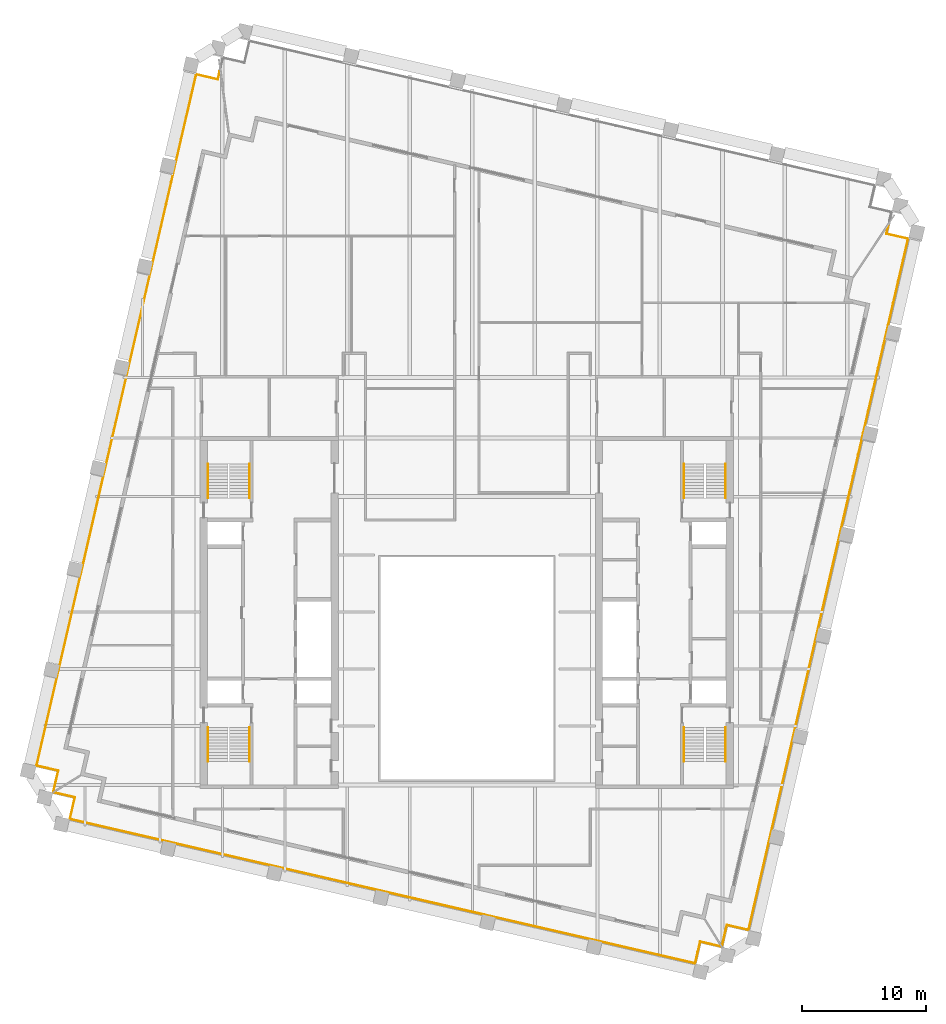
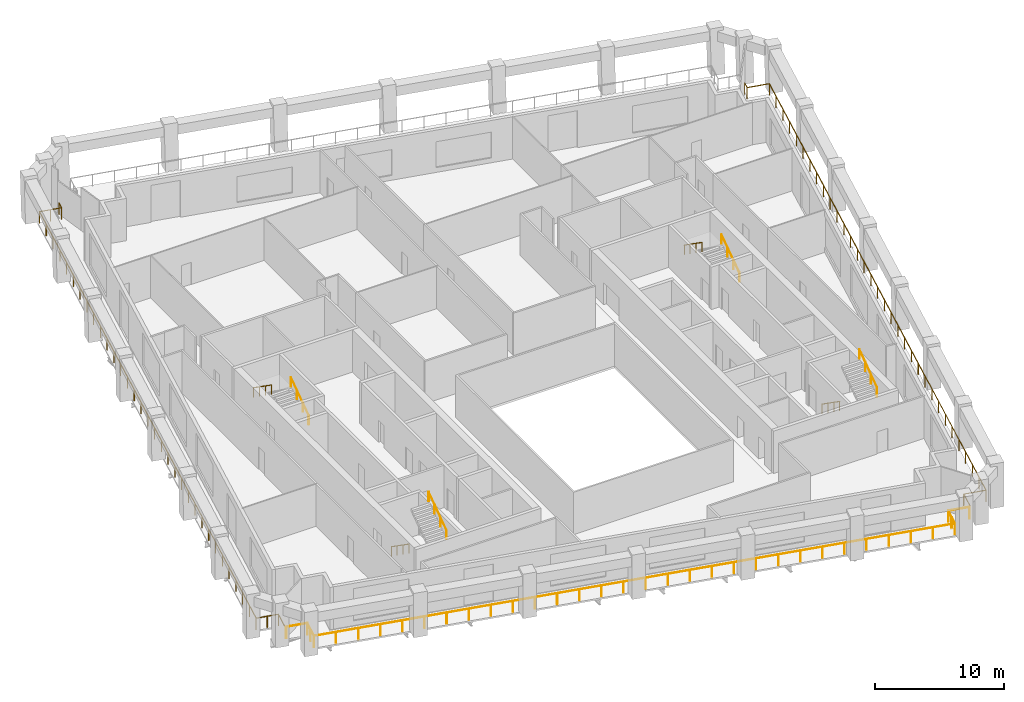
# One storey, part 9 of 10: 11 railings.
"""IFC4 building model written with IfcOpenShell, lengths in metres."""

from ifc_helpers import new_model, si_unit, direction, frame, origin, origin_2d, place, context, subcontext, project, spatial, circle, extrude, material, type_object, element, save


model = new_model("IFC4")

# Units and contexts
model_context = context("Model", 3, precision=1e-05, world=origin(), true_north=direction((0.0, 1.0)))
body_context = subcontext(model_context, "Body", "Model", "MODEL_VIEW")
ifc_project = project(units=[si_unit("LENGTHUNIT", "METRE"), si_unit("AREAUNIT", "SQUARE_METRE"), si_unit("VOLUMEUNIT", "CUBIC_METRE"), si_unit("PLANEANGLEUNIT", "RADIAN"), si_unit("MASSUNIT", "GRAM", prefix="KILO")], contexts=[model_context])

# Site, building, storey
site_placement = place(None, origin())
site = spatial("IfcSite", under=ifc_project, at=site_placement, CompositionType="ELEMENT")
building_placement = place(site_placement, origin())
building = spatial("IfcBuilding", under=site, at=building_placement, Name="Ogive Exchange Tower", CompositionType="ELEMENT")
storey_placement = place(building_placement, frame((0.0, 0.0, 280.800048828125)))
storey = spatial("IfcBuildingStorey", under=building, at=storey_placement, Name="L61", CompositionType="ELEMENT", Elevation=280.800048828125)

# Railings
ifc_material_1 = material(Name="Stainless steel 316", Category="steel")
railing_type_1 = type_object("IfcRailingType", Name="Guard 1100 stainless steel and glass", PredefinedType="GUARDRAIL", material=ifc_material_1)
railing_1_placement = place(storey_placement, frame((20.560546875, -15.527099609375, -0.050048828125)))
element("IfcRailing", 1, at=railing_1_placement, inside=storey, type_object=railing_type_1, Name="Loggia guard 1", PredefinedType="GUARDRAIL", context=body_context, shape_type="SweptSolid", body=[
    extrude(circle(Radius=0.02392578125, at=origin_2d()), frame((0.0, 0.0, 1.076171875), z_axis=(-0.974396013545, 0.224838628327, 0.0), x_axis=(-0.224838628327, -0.974396013545, 0.0)), (0.0, 0.0, 1.0), 1.7080078125),
    extrude(circle(Radius=0.02392578125, at=origin_2d()), frame((-1.664306640625, 0.384033203125, 1.076171875), z_axis=(-0.224879318197, -0.974386623598, 0.0), x_axis=(0.974386623598, -0.224879318197, 0.0)), (0.0, 0.0, 1.0), 1.800048828125),
    extrude(circle(Radius=0.02392578125, at=origin_2d()), frame((-2.069091796875, -1.369873046875, 1.076171875), z_axis=(-0.974370126852, 0.224950785504, 0.0), x_axis=(-0.224950785504, -0.974370126852, 0.0)), (0.0, 0.0, 1.0), 51.960205078125),
    extrude(circle(Radius=0.02392578125, at=origin_2d()), frame((-52.697509765625, 10.318603515625, 1.076171875), z_axis=(0.225008086135, 0.974356896201, 0.0), x_axis=(-0.974356896201, 0.225008086135, 0.0)), (0.0, 0.0, 1.0), 1.800048828125),
    extrude(circle(Radius=0.02392578125, at=origin_2d()), frame((-52.29248046875, 12.072509765625, 1.076171875), z_axis=(-0.974364690374, 0.224974332206, 0.0), x_axis=(-0.224974332206, -0.974364690374, 0.0)), (0.0, 0.0, 1.0), 1.7080078125),
    extrude(circle(Radius=0.02099609375, at=origin_2d()), origin(), (0.0, 0.0, 1.0), 1.052001953125),
    extrude(circle(Radius=0.02099609375, at=origin_2d()), frame((-1.664306640625, 0.384033203125, 0.0)), (0.0, 0.0, 1.0), 1.052001953125),
    extrude(circle(Radius=0.02099609375, at=origin_2d()), frame((-1.86669921875, -0.492919921875, 0.0)), (0.0, 0.0, 1.0), 1.052001953125),
    extrude(circle(Radius=0.02099609375, at=origin_2d()), frame((-2.069091796875, -1.369873046875, 0.0)), (0.0, 0.0, 1.0), 1.052001953125),
    extrude(circle(Radius=0.02099609375, at=origin_2d()), frame((-3.81494140625, -0.966796875, 0.0)), (0.0, 0.0, 1.0), 1.052001953125),
    extrude(circle(Radius=0.02099609375, at=origin_2d()), frame((-5.560791015625, -0.563720703125, 0.0)), (0.0, 0.0, 1.0), 1.052001953125),
    extrude(circle(Radius=0.02099609375, at=origin_2d()), frame((-7.306396484375, -0.16064453125, 0.0)), (0.0, 0.0, 1.0), 1.052001953125),
    extrude(circle(Radius=0.02099609375, at=origin_2d()), frame((-9.05224609375, 0.242431640625, 0.0)), (0.0, 0.0, 1.0), 1.052001953125),
    extrude(circle(Radius=0.02099609375, at=origin_2d()), frame((-10.798095703125, 0.645263671875, 0.0)), (0.0, 0.0, 1.0), 1.052001953125),
    extrude(circle(Radius=0.02099609375, at=origin_2d()), frame((-12.5439453125, 1.04833984375, 0.0)), (0.0, 0.0, 1.0), 1.052001953125),
    extrude(circle(Radius=0.02099609375, at=origin_2d()), frame((-14.289794921875, 1.451416015625, 0.0)), (0.0, 0.0, 1.0), 1.052001953125),
    extrude(circle(Radius=0.02099609375, at=origin_2d()), frame((-16.03564453125, 1.8544921875, 0.0)), (0.0, 0.0, 1.0), 1.052001953125),
    extrude(circle(Radius=0.02099609375, at=origin_2d()), frame((-17.78125, 2.257568359375, 0.0)), (0.0, 0.0, 1.0), 1.052001953125),
    extrude(circle(Radius=0.02099609375, at=origin_2d()), frame((-19.527099609375, 2.66064453125, 0.0)), (0.0, 0.0, 1.0), 1.052001953125),
    extrude(circle(Radius=0.02099609375, at=origin_2d()), frame((-21.27294921875, 3.063720703125, 0.0)), (0.0, 0.0, 1.0), 1.052001953125),
    extrude(circle(Radius=0.02099609375, at=origin_2d()), frame((-23.018798828125, 3.466796875, 0.0)), (0.0, 0.0, 1.0), 1.052001953125),
    extrude(circle(Radius=0.02099609375, at=origin_2d()), frame((-24.7646484375, 3.869873046875, 0.0)), (0.0, 0.0, 1.0), 1.052001953125),
    extrude(circle(Radius=0.02099609375, at=origin_2d()), frame((-26.510498046875, 4.27294921875, 0.0)), (0.0, 0.0, 1.0), 1.052001953125),
    extrude(circle(Radius=0.02099609375, at=origin_2d()), frame((-28.256103515625, 4.67578125, 0.0)), (0.0, 0.0, 1.0), 1.052001953125),
    extrude(circle(Radius=0.02099609375, at=origin_2d()), frame((-30.001953125, 5.078857421875, 0.0)), (0.0, 0.0, 1.0), 1.052001953125),
    extrude(circle(Radius=0.02099609375, at=origin_2d()), frame((-31.747802734375, 5.48193359375, 0.0)), (0.0, 0.0, 1.0), 1.052001953125),
    extrude(circle(Radius=0.02099609375, at=origin_2d()), frame((-33.49365234375, 5.885009765625, 0.0)), (0.0, 0.0, 1.0), 1.052001953125),
    extrude(circle(Radius=0.02099609375, at=origin_2d()), frame((-35.239501953125, 6.2880859375, 0.0)), (0.0, 0.0, 1.0), 1.052001953125),
    extrude(circle(Radius=0.02099609375, at=origin_2d()), frame((-36.9853515625, 6.691162109375, 0.0)), (0.0, 0.0, 1.0), 1.052001953125),
    extrude(circle(Radius=0.02099609375, at=origin_2d()), frame((-38.73095703125, 7.09423828125, 0.0)), (0.0, 0.0, 1.0), 1.052001953125),
    extrude(circle(Radius=0.02099609375, at=origin_2d()), frame((-40.476806640625, 7.497314453125, 0.0)), (0.0, 0.0, 1.0), 1.052001953125),
    extrude(circle(Radius=0.02099609375, at=origin_2d()), frame((-42.22265625, 7.900390625, 0.0)), (0.0, 0.0, 1.0), 1.052001953125),
    extrude(circle(Radius=0.02099609375, at=origin_2d()), frame((-43.968505859375, 8.303466796875, 0.0)), (0.0, 0.0, 1.0), 1.052001953125),
    extrude(circle(Radius=0.02099609375, at=origin_2d()), frame((-45.71435546875, 8.706298828125, 0.0)), (0.0, 0.0, 1.0), 1.052001953125),
    extrude(circle(Radius=0.02099609375, at=origin_2d()), frame((-47.460205078125, 9.109375, 0.0)), (0.0, 0.0, 1.0), 1.052001953125),
    extrude(circle(Radius=0.02099609375, at=origin_2d()), frame((-49.205810546875, 9.512451171875, 0.0)), (0.0, 0.0, 1.0), 1.052001953125),
    extrude(circle(Radius=0.02099609375, at=origin_2d()), frame((-50.95166015625, 9.91552734375, 0.0)), (0.0, 0.0, 1.0), 1.052001953125),
    extrude(circle(Radius=0.02099609375, at=origin_2d()), frame((-52.697509765625, 10.318603515625, 0.0)), (0.0, 0.0, 1.0), 1.052001953125),
    extrude(circle(Radius=0.02099609375, at=origin_2d()), frame((-52.4951171875, 11.195556640625, 0.0)), (0.0, 0.0, 1.0), 1.052001953125),
    extrude(circle(Radius=0.02099609375, at=origin_2d()), frame((-52.29248046875, 12.072509765625, 0.0)), (0.0, 0.0, 1.0), 1.052001953125),
    extrude(circle(Radius=0.02099609375, at=origin_2d()), frame((-53.956787109375, 12.456787109375, 0.0)), (0.0, 0.0, 1.0), 1.052001953125),
])
railing_2_placement = place(storey_placement, frame((-33.465087890625, -2.960205078125, -0.050048828125)))
element("IfcRailing", 2, at=railing_2_placement, inside=storey, type_object=railing_type_1, Name="Loggia guard 2", PredefinedType="GUARDRAIL", context=body_context, shape_type="SweptSolid", body=[
    extrude(circle(Radius=0.02392578125, at=origin_2d()), frame((0.0, 0.0, 1.076171875), z_axis=(0.224974332206, 0.974364690374, 0.0), x_axis=(-0.974364690374, 0.224974332206, 0.0)), (0.0, 0.0, 1.0), 1.7080078125),
    extrude(circle(Radius=0.02392578125, at=origin_2d()), frame((0.38427734375, 1.664306640625, 1.076171875), z_axis=(-0.974356896201, 0.225008086135, 0.0), x_axis=(-0.225008086135, -0.974356896201, 0.0)), (0.0, 0.0, 1.0), 1.800048828125),
    extrude(circle(Radius=0.02392578125, at=origin_2d()), frame((-1.36962890625, 2.0693359375, 1.076171875), z_axis=(0.224952007917, 0.974369844635, 0.0), x_axis=(-0.974369844635, 0.224952007917, 0.0)), (0.0, 0.0, 1.0), 57.441650390625),
    extrude(circle(Radius=0.02392578125, at=origin_2d()), frame((11.552001953125, 58.038818359375, 1.076171875), z_axis=(0.974386623598, -0.224879318197, 0.0), x_axis=(0.224879318197, 0.974386623598, 0.0)), (0.0, 0.0, 1.0), 1.800048828125),
    extrude(circle(Radius=0.02392578125, at=origin_2d()), frame((13.305908203125, 57.634033203125, 1.076171875), z_axis=(0.224566622736, 0.974458737943, 0.0), x_axis=(-0.974458737943, 0.224566622736, 0.0)), (0.0, 0.0, 1.0), 0.669677734375),
    extrude(circle(Radius=0.02099609375, at=origin_2d()), origin(), (0.0, 0.0, 1.0), 1.052001953125),
    extrude(circle(Radius=0.02099609375, at=origin_2d()), frame((0.38427734375, 1.664306640625, 0.0)), (0.0, 0.0, 1.0), 1.052001953125),
    extrude(circle(Radius=0.02099609375, at=origin_2d()), frame((-0.49267578125, 1.86669921875, 0.0)), (0.0, 0.0, 1.0), 1.052001953125),
    extrude(circle(Radius=0.02099609375, at=origin_2d()), frame((-1.36962890625, 2.0693359375, 0.0)), (0.0, 0.0, 1.0), 1.052001953125),
    extrude(circle(Radius=0.02099609375, at=origin_2d()), frame((-0.9658203125, 3.818359375, 0.0)), (0.0, 0.0, 1.0), 1.052001953125),
    extrude(circle(Radius=0.02099609375, at=origin_2d()), frame((-0.56201171875, 5.5673828125, 0.0)), (0.0, 0.0, 1.0), 1.052001953125),
    extrude(circle(Radius=0.02099609375, at=origin_2d()), frame((-0.158203125, 7.31640625, 0.0)), (0.0, 0.0, 1.0), 1.052001953125),
    extrude(circle(Radius=0.02099609375, at=origin_2d()), frame((0.24560546875, 9.0654296875, 0.0)), (0.0, 0.0, 1.0), 1.052001953125),
    extrude(circle(Radius=0.02099609375, at=origin_2d()), frame((0.6494140625, 10.814453125, 0.0)), (0.0, 0.0, 1.0), 1.052001953125),
    extrude(circle(Radius=0.02099609375, at=origin_2d()), frame((1.05322265625, 12.563720703125, 0.0)), (0.0, 0.0, 1.0), 1.052001953125),
    extrude(circle(Radius=0.02099609375, at=origin_2d()), frame((1.45703125, 14.312744140625, 0.0)), (0.0, 0.0, 1.0), 1.052001953125),
    extrude(circle(Radius=0.02099609375, at=origin_2d()), frame((1.86083984375, 16.061767578125, 0.0)), (0.0, 0.0, 1.0), 1.052001953125),
    extrude(circle(Radius=0.02099609375, at=origin_2d()), frame((2.2646484375, 17.810791015625, 0.0)), (0.0, 0.0, 1.0), 1.052001953125),
    extrude(circle(Radius=0.02099609375, at=origin_2d()), frame((2.66845703125, 19.559814453125, 0.0)), (0.0, 0.0, 1.0), 1.052001953125),
    extrude(circle(Radius=0.02099609375, at=origin_2d()), frame((3.072265625, 21.308837890625, 0.0)), (0.0, 0.0, 1.0), 1.052001953125),
    extrude(circle(Radius=0.02099609375, at=origin_2d()), frame((3.47607421875, 23.057861328125, 0.0)), (0.0, 0.0, 1.0), 1.052001953125),
    extrude(circle(Radius=0.02099609375, at=origin_2d()), frame((3.8798828125, 24.806884765625, 0.0)), (0.0, 0.0, 1.0), 1.052001953125),
    extrude(circle(Radius=0.02099609375, at=origin_2d()), frame((4.28369140625, 26.555908203125, 0.0)), (0.0, 0.0, 1.0), 1.052001953125),
    extrude(circle(Radius=0.02099609375, at=origin_2d()), frame((4.6875, 28.304931640625, 0.0)), (0.0, 0.0, 1.0), 1.052001953125),
    extrude(circle(Radius=0.02099609375, at=origin_2d()), frame((5.09130859375, 30.05419921875, 0.0)), (0.0, 0.0, 1.0), 1.052001953125),
    extrude(circle(Radius=0.02099609375, at=origin_2d()), frame((5.494873046875, 31.80322265625, 0.0)), (0.0, 0.0, 1.0), 1.052001953125),
    extrude(circle(Radius=0.02099609375, at=origin_2d()), frame((5.898681640625, 33.55224609375, 0.0)), (0.0, 0.0, 1.0), 1.052001953125),
    extrude(circle(Radius=0.02099609375, at=origin_2d()), frame((6.302490234375, 35.30126953125, 0.0)), (0.0, 0.0, 1.0), 1.052001953125),
    extrude(circle(Radius=0.02099609375, at=origin_2d()), frame((6.706298828125, 37.05029296875, 0.0)), (0.0, 0.0, 1.0), 1.052001953125),
    extrude(circle(Radius=0.02099609375, at=origin_2d()), frame((7.110107421875, 38.79931640625, 0.0)), (0.0, 0.0, 1.0), 1.052001953125),
    extrude(circle(Radius=0.02099609375, at=origin_2d()), frame((7.513916015625, 40.54833984375, 0.0)), (0.0, 0.0, 1.0), 1.052001953125),
    extrude(circle(Radius=0.02099609375, at=origin_2d()), frame((7.917724609375, 42.29736328125, 0.0)), (0.0, 0.0, 1.0), 1.052001953125),
    extrude(circle(Radius=0.02099609375, at=origin_2d()), frame((8.321533203125, 44.04638671875, 0.0)), (0.0, 0.0, 1.0), 1.052001953125),
    extrude(circle(Radius=0.02099609375, at=origin_2d()), frame((8.725341796875, 45.79541015625, 0.0)), (0.0, 0.0, 1.0), 1.052001953125),
    extrude(circle(Radius=0.02099609375, at=origin_2d()), frame((9.129150390625, 47.54443359375, 0.0)), (0.0, 0.0, 1.0), 1.052001953125),
    extrude(circle(Radius=0.02099609375, at=origin_2d()), frame((9.532958984375, 49.293701171875, 0.0)), (0.0, 0.0, 1.0), 1.052001953125),
    extrude(circle(Radius=0.02099609375, at=origin_2d()), frame((9.936767578125, 51.042724609375, 0.0)), (0.0, 0.0, 1.0), 1.052001953125),
    extrude(circle(Radius=0.02099609375, at=origin_2d()), frame((10.340576171875, 52.791748046875, 0.0)), (0.0, 0.0, 1.0), 1.052001953125),
    extrude(circle(Radius=0.02099609375, at=origin_2d()), frame((10.744384765625, 54.540771484375, 0.0)), (0.0, 0.0, 1.0), 1.052001953125),
    extrude(circle(Radius=0.02099609375, at=origin_2d()), frame((11.148193359375, 56.289794921875, 0.0)), (0.0, 0.0, 1.0), 1.052001953125),
    extrude(circle(Radius=0.02099609375, at=origin_2d()), frame((11.552001953125, 58.038818359375, 0.0)), (0.0, 0.0, 1.0), 1.052001953125),
    extrude(circle(Radius=0.02099609375, at=origin_2d()), frame((12.428955078125, 57.83642578125, 0.0)), (0.0, 0.0, 1.0), 1.052001953125),
    extrude(circle(Radius=0.02099609375, at=origin_2d()), frame((13.305908203125, 57.634033203125, 0.0)), (0.0, 0.0, 1.0), 1.052001953125),
    extrude(circle(Radius=0.02099609375, at=origin_2d()), frame((13.456298828125, 58.28662109375, 0.0)), (0.0, 0.0, 1.0), 1.052001953125),
])
railing_3_placement = place(storey_placement, frame((34.127197265625, 42.827880859375, -0.050048828125)))
element("IfcRailing", 3, at=railing_3_placement, inside=storey, type_object=railing_type_1, Name="Loggia guard 4", PredefinedType="GUARDRAIL", context=body_context, shape_type="SweptSolid", body=[
    extrude(circle(Radius=0.02392578125, at=origin_2d()), frame((0.0, 0.0, 1.076171875), z_axis=(-0.224646426498, -0.974440343511, 0.0), x_axis=(0.974440343511, -0.224646426498, 0.0)), (0.0, 0.0, 1.0), 0.66943359375),
    extrude(circle(Radius=0.02392578125, at=origin_2d()), frame((-0.150390625, -0.65234375, 1.076171875), z_axis=(0.974350028141, -0.22503782496, 0.0), x_axis=(0.22503782496, 0.974350028141, 0.0)), (0.0, 0.0, 1.0), 1.7998046875),
    extrude(circle(Radius=0.02392578125, at=origin_2d()), frame((1.603271484375, -1.057373046875, 1.076171875), z_axis=(-0.224952007917, -0.974369844635, 0.0), x_axis=(0.974369844635, -0.224952007917, 0.0)), (0.0, 0.0, 1.0), 57.441650390625),
    extrude(circle(Radius=0.02392578125, at=origin_2d()), frame((-11.318359375, -57.02685546875, 1.076171875), z_axis=(-0.974379763188, 0.224909041816, 0.0), x_axis=(-0.224909041816, -0.974379763188, 0.0)), (0.0, 0.0, 1.0), 1.7998046875),
    extrude(circle(Radius=0.02392578125, at=origin_2d()), frame((-13.072021484375, -56.6220703125, 1.076171875), z_axis=(-0.224974332206, -0.974364690374, 0.0), x_axis=(0.974364690374, -0.224974332206, 0.0)), (0.0, 0.0, 1.0), 1.7080078125),
    extrude(circle(Radius=0.02099609375, at=origin_2d()), origin(), (0.0, 0.0, 1.0), 1.052001953125),
    extrude(circle(Radius=0.02099609375, at=origin_2d()), frame((-0.150390625, -0.65234375, 0.0)), (0.0, 0.0, 1.0), 1.052001953125),
    extrude(circle(Radius=0.02099609375, at=origin_2d()), frame((1.603271484375, -1.057373046875, 0.0)), (0.0, 0.0, 1.0), 1.052001953125),
    extrude(circle(Radius=0.02099609375, at=origin_2d()), frame((1.199462890625, -2.806396484375, 0.0)), (0.0, 0.0, 1.0), 1.052001953125),
    extrude(circle(Radius=0.02099609375, at=origin_2d()), frame((0.795654296875, -4.555419921875, 0.0)), (0.0, 0.0, 1.0), 1.052001953125),
    extrude(circle(Radius=0.02099609375, at=origin_2d()), frame((0.391845703125, -6.304443359375, 0.0)), (0.0, 0.0, 1.0), 1.052001953125),
    extrude(circle(Radius=0.02099609375, at=origin_2d()), frame((-0.011962890625, -8.053466796875, 0.0)), (0.0, 0.0, 1.0), 1.052001953125),
    extrude(circle(Radius=0.02099609375, at=origin_2d()), frame((-0.415771484375, -9.802490234375, 0.0)), (0.0, 0.0, 1.0), 1.052001953125),
    extrude(circle(Radius=0.02099609375, at=origin_2d()), frame((-0.819580078125, -11.5517578125, 0.0)), (0.0, 0.0, 1.0), 1.052001953125),
    extrude(circle(Radius=0.02099609375, at=origin_2d()), frame((-1.223388671875, -13.30078125, 0.0)), (0.0, 0.0, 1.0), 1.052001953125),
    extrude(circle(Radius=0.02099609375, at=origin_2d()), frame((-1.627197265625, -15.0498046875, 0.0)), (0.0, 0.0, 1.0), 1.052001953125),
    extrude(circle(Radius=0.02099609375, at=origin_2d()), frame((-2.031005859375, -16.798828125, 0.0)), (0.0, 0.0, 1.0), 1.052001953125),
    extrude(circle(Radius=0.02099609375, at=origin_2d()), frame((-2.434814453125, -18.5478515625, 0.0)), (0.0, 0.0, 1.0), 1.052001953125),
    extrude(circle(Radius=0.02099609375, at=origin_2d()), frame((-2.838623046875, -20.296875, 0.0)), (0.0, 0.0, 1.0), 1.052001953125),
    extrude(circle(Radius=0.02099609375, at=origin_2d()), frame((-3.242431640625, -22.0458984375, 0.0)), (0.0, 0.0, 1.0), 1.052001953125),
    extrude(circle(Radius=0.02099609375, at=origin_2d()), frame((-3.646240234375, -23.794921875, 0.0)), (0.0, 0.0, 1.0), 1.052001953125),
    extrude(circle(Radius=0.02099609375, at=origin_2d()), frame((-4.050048828125, -25.5439453125, 0.0)), (0.0, 0.0, 1.0), 1.052001953125),
    extrude(circle(Radius=0.02099609375, at=origin_2d()), frame((-4.453857421875, -27.29296875, 0.0)), (0.0, 0.0, 1.0), 1.052001953125),
    extrude(circle(Radius=0.02099609375, at=origin_2d()), frame((-4.857421875, -29.0419921875, 0.0)), (0.0, 0.0, 1.0), 1.052001953125),
    extrude(circle(Radius=0.02099609375, at=origin_2d()), frame((-5.26123046875, -30.791259765625, 0.0)), (0.0, 0.0, 1.0), 1.052001953125),
    extrude(circle(Radius=0.02099609375, at=origin_2d()), frame((-5.6650390625, -32.540283203125, 0.0)), (0.0, 0.0, 1.0), 1.052001953125),
    extrude(circle(Radius=0.02099609375, at=origin_2d()), frame((-6.06884765625, -34.289306640625, 0.0)), (0.0, 0.0, 1.0), 1.052001953125),
    extrude(circle(Radius=0.02099609375, at=origin_2d()), frame((-6.47265625, -36.038330078125, 0.0)), (0.0, 0.0, 1.0), 1.052001953125),
    extrude(circle(Radius=0.02099609375, at=origin_2d()), frame((-6.87646484375, -37.787353515625, 0.0)), (0.0, 0.0, 1.0), 1.052001953125),
    extrude(circle(Radius=0.02099609375, at=origin_2d()), frame((-7.2802734375, -39.536376953125, 0.0)), (0.0, 0.0, 1.0), 1.052001953125),
    extrude(circle(Radius=0.02099609375, at=origin_2d()), frame((-7.68408203125, -41.285400390625, 0.0)), (0.0, 0.0, 1.0), 1.052001953125),
    extrude(circle(Radius=0.02099609375, at=origin_2d()), frame((-8.087890625, -43.034423828125, 0.0)), (0.0, 0.0, 1.0), 1.052001953125),
    extrude(circle(Radius=0.02099609375, at=origin_2d()), frame((-8.49169921875, -44.783447265625, 0.0)), (0.0, 0.0, 1.0), 1.052001953125),
    extrude(circle(Radius=0.02099609375, at=origin_2d()), frame((-8.8955078125, -46.532470703125, 0.0)), (0.0, 0.0, 1.0), 1.052001953125),
    extrude(circle(Radius=0.02099609375, at=origin_2d()), frame((-9.29931640625, -48.28173828125, 0.0)), (0.0, 0.0, 1.0), 1.052001953125),
    extrude(circle(Radius=0.02099609375, at=origin_2d()), frame((-9.703125, -50.03076171875, 0.0)), (0.0, 0.0, 1.0), 1.052001953125),
    extrude(circle(Radius=0.02099609375, at=origin_2d()), frame((-10.10693359375, -51.77978515625, 0.0)), (0.0, 0.0, 1.0), 1.052001953125),
    extrude(circle(Radius=0.02099609375, at=origin_2d()), frame((-10.5107421875, -53.52880859375, 0.0)), (0.0, 0.0, 1.0), 1.052001953125),
    extrude(circle(Radius=0.02099609375, at=origin_2d()), frame((-10.91455078125, -55.27783203125, 0.0)), (0.0, 0.0, 1.0), 1.052001953125),
    extrude(circle(Radius=0.02099609375, at=origin_2d()), frame((-11.318359375, -57.02685546875, 0.0)), (0.0, 0.0, 1.0), 1.052001953125),
    extrude(circle(Radius=0.02099609375, at=origin_2d()), frame((-13.072021484375, -56.6220703125, 0.0)), (0.0, 0.0, 1.0), 1.052001953125),
    extrude(circle(Radius=0.02099609375, at=origin_2d()), frame((-13.456298828125, -58.286376953125, 0.0)), (0.0, 0.0, 1.0), 1.052001953125),
])
ifc_material_2 = material(Name="Stainless steel", Category="steel")
railing_type_2 = type_object("IfcRailingType", Name="Stair handrail 900", PredefinedType="HANDRAIL", material=ifc_material_2)
railing_4_placement = place(storey_placement, frame((-20.949951171875, 2.199951171875, 0.175048828125)))
element("IfcRailing", 4, at=railing_4_placement, inside=storey, type_object=railing_type_2, Name="L61 ST1 stair handrail 1", PredefinedType="HANDRAIL", context=body_context, shape_type="SweptSolid", body=[
    extrude(circle(Radius=0.02392578125, at=origin_2d()), frame((0.0, 0.0, 0.8759765625), z_axis=(0.0, -0.819259255306, 0.573423292687), x_axis=(1.0, 0.0, 0.0)), (0.0, 0.0, 1.0), 3.356689453125),
    extrude(circle(Radius=0.02099609375, at=origin_2d()), origin(), (0.0, 0.0, 1.0), 0.851806640625),
    extrude(circle(Radius=0.02099609375, at=origin_2d()), frame((0.0, -0.916748046875, 0.6416015625)), (0.0, 0.0, 1.0), 0.851806640625),
    extrude(circle(Radius=0.02099609375, at=origin_2d()), frame((0.0, -1.833251953125, 1.283203125)), (0.0, 0.0, 1.0), 0.851806640625),
    extrude(circle(Radius=0.02099609375, at=origin_2d()), frame((0.0, -2.75, 1.9248046875)), (0.0, 0.0, 1.0), 0.851806640625),
])
railing_5_placement = place(storey_placement, frame((-17.60009765625, -0.550048828125, 2.27490234375)))
element("IfcRailing", 5, at=railing_5_placement, inside=storey, type_object=railing_type_2, Name="L61 ST1 stair handrail 2", PredefinedType="HANDRAIL", context=body_context, shape_type="SweptSolid", body=[
    extrude(circle(Radius=0.02392578125, at=origin_2d()), frame((0.0, 0.0, 0.8759765625), z_axis=(0.0, 0.819225086817, 0.573472106672), x_axis=(-1.0, 0.0, 0.0)), (0.0, 0.0, 1.0), 3.35693359375),
    extrude(circle(Radius=0.02099609375, at=origin_2d()), origin(), (0.0, 0.0, 1.0), 0.851806640625),
    extrude(circle(Radius=0.02099609375, at=origin_2d()), frame((0.0, 0.916748046875, 0.6416015625)), (0.0, 0.0, 1.0), 0.851806640625),
    extrude(circle(Radius=0.02099609375, at=origin_2d()), frame((0.0, 1.833251953125, 1.283447265625)), (0.0, 0.0, 1.0), 0.851806640625),
    extrude(circle(Radius=0.02099609375, at=origin_2d()), frame((0.0, 2.75, 1.925048828125)), (0.0, 0.0, 1.0), 0.851806640625),
])
railing_6_placement = place(storey_placement, frame((-17.60009765625, 20.800048828125, 0.175048828125)))
element("IfcRailing", 6, at=railing_6_placement, inside=storey, type_object=railing_type_2, Name="L61 ST2 stair handrail 1", PredefinedType="HANDRAIL", context=body_context, shape_type="SweptSolid", body=[
    extrude(circle(Radius=0.02392578125, at=origin_2d()), frame((0.0, 0.0, 0.8759765625), z_axis=(0.0, 0.819259255306, 0.573423292687), x_axis=(-1.0, 0.0, 0.0)), (0.0, 0.0, 1.0), 3.356689453125),
    extrude(circle(Radius=0.02099609375, at=origin_2d()), origin(), (0.0, 0.0, 1.0), 0.851806640625),
    extrude(circle(Radius=0.02099609375, at=origin_2d()), frame((0.0, 0.916748046875, 0.6416015625)), (0.0, 0.0, 1.0), 0.851806640625),
    extrude(circle(Radius=0.02099609375, at=origin_2d()), frame((0.0, 1.833251953125, 1.283203125)), (0.0, 0.0, 1.0), 0.851806640625),
    extrude(circle(Radius=0.02099609375, at=origin_2d()), frame((0.0, 2.75, 1.9248046875)), (0.0, 0.0, 1.0), 0.851806640625),
])
railing_7_placement = place(storey_placement, frame((-20.949951171875, 23.550048828125, 2.27490234375)))
element("IfcRailing", 7, at=railing_7_placement, inside=storey, type_object=railing_type_2, Name="L61 ST2 stair handrail 2", PredefinedType="HANDRAIL", context=body_context, shape_type="SweptSolid", body=[
    extrude(circle(Radius=0.02392578125, at=origin_2d()), frame((0.0, 0.0, 0.8759765625), z_axis=(0.0, -0.819225086817, 0.573472106672), x_axis=(1.0, 0.0, 0.0)), (0.0, 0.0, 1.0), 3.35693359375),
    extrude(circle(Radius=0.02099609375, at=origin_2d()), origin(), (0.0, 0.0, 1.0), 0.851806640625),
    extrude(circle(Radius=0.02099609375, at=origin_2d()), frame((0.0, -0.916748046875, 0.6416015625)), (0.0, 0.0, 1.0), 0.851806640625),
    extrude(circle(Radius=0.02099609375, at=origin_2d()), frame((0.0, -1.833251953125, 1.283447265625)), (0.0, 0.0, 1.0), 0.851806640625),
    extrude(circle(Radius=0.02099609375, at=origin_2d()), frame((0.0, -2.75, 1.925048828125)), (0.0, 0.0, 1.0), 0.851806640625),
])
railing_8_placement = place(storey_placement, frame((17.60009765625, 2.199951171875, 0.175048828125)))
element("IfcRailing", 8, at=railing_8_placement, inside=storey, type_object=railing_type_2, Name="L61 ST3 stair handrail 1", PredefinedType="HANDRAIL", context=body_context, shape_type="SweptSolid", body=[
    extrude(circle(Radius=0.02392578125, at=origin_2d()), frame((0.0, 0.0, 0.8759765625), z_axis=(0.0, -0.819259255306, 0.573423292687), x_axis=(1.0, 0.0, 0.0)), (0.0, 0.0, 1.0), 3.356689453125),
    extrude(circle(Radius=0.02099609375, at=origin_2d()), origin(), (0.0, 0.0, 1.0), 0.851806640625),
    extrude(circle(Radius=0.02099609375, at=origin_2d()), frame((0.0, -0.916748046875, 0.6416015625)), (0.0, 0.0, 1.0), 0.851806640625),
    extrude(circle(Radius=0.02099609375, at=origin_2d()), frame((0.0, -1.833251953125, 1.283203125)), (0.0, 0.0, 1.0), 0.851806640625),
    extrude(circle(Radius=0.02099609375, at=origin_2d()), frame((0.0, -2.75, 1.9248046875)), (0.0, 0.0, 1.0), 0.851806640625),
])
railing_9_placement = place(storey_placement, frame((20.949951171875, -0.550048828125, 2.27490234375)))
element("IfcRailing", 9, at=railing_9_placement, inside=storey, type_object=railing_type_2, Name="L61 ST3 stair handrail 2", PredefinedType="HANDRAIL", context=body_context, shape_type="SweptSolid", body=[
    extrude(circle(Radius=0.02392578125, at=origin_2d()), frame((0.0, 0.0, 0.8759765625), z_axis=(0.0, 0.819225086817, 0.573472106672), x_axis=(-1.0, 0.0, 0.0)), (0.0, 0.0, 1.0), 3.35693359375),
    extrude(circle(Radius=0.02099609375, at=origin_2d()), origin(), (0.0, 0.0, 1.0), 0.851806640625),
    extrude(circle(Radius=0.02099609375, at=origin_2d()), frame((0.0, 0.916748046875, 0.6416015625)), (0.0, 0.0, 1.0), 0.851806640625),
    extrude(circle(Radius=0.02099609375, at=origin_2d()), frame((0.0, 1.833251953125, 1.283447265625)), (0.0, 0.0, 1.0), 0.851806640625),
    extrude(circle(Radius=0.02099609375, at=origin_2d()), frame((0.0, 2.75, 1.925048828125)), (0.0, 0.0, 1.0), 0.851806640625),
])
railing_10_placement = place(storey_placement, frame((20.949951171875, 20.800048828125, 0.175048828125)))
element("IfcRailing", 10, at=railing_10_placement, inside=storey, type_object=railing_type_2, Name="L61 ST4 stair handrail 1", PredefinedType="HANDRAIL", context=body_context, shape_type="SweptSolid", body=[
    extrude(circle(Radius=0.02392578125, at=origin_2d()), frame((0.0, 0.0, 0.8759765625), z_axis=(0.0, 0.819259255306, 0.573423292687), x_axis=(-1.0, 0.0, 0.0)), (0.0, 0.0, 1.0), 3.356689453125),
    extrude(circle(Radius=0.02099609375, at=origin_2d()), origin(), (0.0, 0.0, 1.0), 0.851806640625),
    extrude(circle(Radius=0.02099609375, at=origin_2d()), frame((0.0, 0.916748046875, 0.6416015625)), (0.0, 0.0, 1.0), 0.851806640625),
    extrude(circle(Radius=0.02099609375, at=origin_2d()), frame((0.0, 1.833251953125, 1.283203125)), (0.0, 0.0, 1.0), 0.851806640625),
    extrude(circle(Radius=0.02099609375, at=origin_2d()), frame((0.0, 2.75, 1.9248046875)), (0.0, 0.0, 1.0), 0.851806640625),
])
railing_11_placement = place(storey_placement, frame((17.60009765625, 23.550048828125, 2.27490234375)))
element("IfcRailing", 11, at=railing_11_placement, inside=storey, type_object=railing_type_2, Name="L61 ST4 stair handrail 2", PredefinedType="HANDRAIL", context=body_context, shape_type="SweptSolid", body=[
    extrude(circle(Radius=0.02392578125, at=origin_2d()), frame((0.0, 0.0, 0.8759765625), z_axis=(0.0, -0.819225086817, 0.573472106672), x_axis=(1.0, 0.0, 0.0)), (0.0, 0.0, 1.0), 3.35693359375),
    extrude(circle(Radius=0.02099609375, at=origin_2d()), origin(), (0.0, 0.0, 1.0), 0.851806640625),
    extrude(circle(Radius=0.02099609375, at=origin_2d()), frame((0.0, -0.916748046875, 0.6416015625)), (0.0, 0.0, 1.0), 0.851806640625),
    extrude(circle(Radius=0.02099609375, at=origin_2d()), frame((0.0, -1.833251953125, 1.283447265625)), (0.0, 0.0, 1.0), 0.851806640625),
    extrude(circle(Radius=0.02099609375, at=origin_2d()), frame((0.0, -2.75, 1.925048828125)), (0.0, 0.0, 1.0), 0.851806640625),
])

save(model, "model.ifc")
